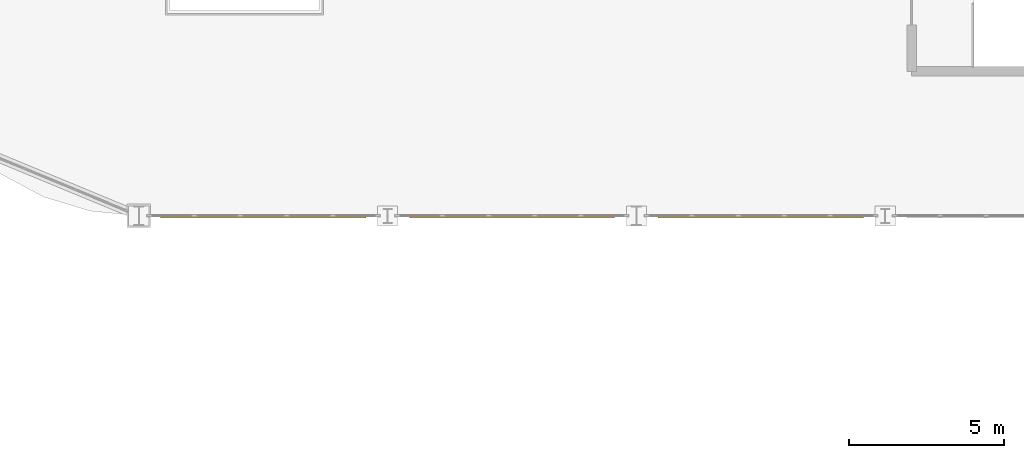
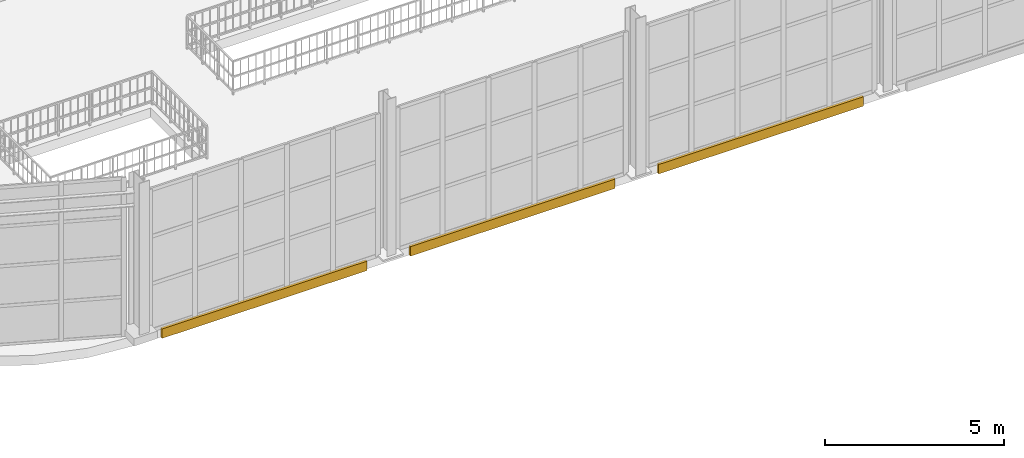
# One storey, part 75 of 82: 3 coverings.
"""IFC4 building model written with IfcOpenShell, lengths in metres."""

from ifc_helpers import new_model, si_unit, direction, frame, origin, origin_2d, place, context, subcontext, project, spatial, rectangle, extrude, material, layer, layer_set, type_object, element, save


model = new_model("IFC4")

# Units and contexts
model_context = context("Model", 3, precision=1e-05, world=origin(), true_north=direction((0.0, 1.0)))
body_context = subcontext(model_context, "Body", "Model", "MODEL_VIEW")
ifc_project = project(units=[si_unit("LENGTHUNIT", "METRE"), si_unit("AREAUNIT", "SQUARE_METRE"), si_unit("VOLUMEUNIT", "CUBIC_METRE"), si_unit("PLANEANGLEUNIT", "RADIAN"), si_unit("MASSUNIT", "GRAM", prefix="KILO")], contexts=[model_context])

# Site, building, storey
site_placement = place(None, origin())
site = spatial("IfcSite", under=ifc_project, at=site_placement, CompositionType="ELEMENT")
building_placement = place(site_placement, origin())
building = spatial("IfcBuilding", under=site, at=building_placement, Name="Serraluz Foothill Cableway Terminal", CompositionType="ELEMENT")
storey_placement = place(building_placement, frame((0.0, 0.0, 9.60009765625)))
storey = spatial("IfcBuildingStorey", under=building, at=storey_placement, Name="L02", CompositionType="ELEMENT", Elevation=9.60009765625)

# Coverings
ifc_material = material(Name="Fired clay masonry brick (f'm 12 MPa)", Category="masonry")
ifc_layer = layer(ifc_material, 0.090087890625, Name="Fired clay masonry brick (f'm 12 MPa)", Category="masonry")
ifc_layer_set = layer_set([ifc_layer], Name="Fired clay masonry brick (f'm 12 MPa)")
covering_type = type_object("IfcCoveringType", Name="TYP-COV-CLAD-90", PredefinedType="CLADDING", material=ifc_layer_set)
for number, where, z_axis, x_axis, name in (
    (1, (44.0, 55.969970703125, -0.3203125), (0.0, 0.0, 1.0), (1.0, 0.0, 0.0), "Terracotta Spandrel Relief Band COV-CLAD-V1S-1"),
    (2, (52.0, 55.969970703125, -0.3203125), (0.0, 0.0, 1.0), (1.0, 0.0, 0.0), "Terracotta Spandrel Relief Band COV-CLAD-V1S-2"),
    (3, (60.0, 55.969970703125, -0.3203125), (0.0, 0.0, 1.0), (1.0, 0.0, 0.0), "Terracotta Spandrel Relief Band COV-CLAD-V1S-3"),
):
    element("IfcCovering", number, at=place(storey_placement, frame(where, z_axis=z_axis, x_axis=x_axis)), inside=storey, type_object=covering_type, Name=name, PredefinedType="CLADDING", context=body_context, shape_type="SweptSolid", body=[
        extrude(rectangle(XDim=6.60009765625, YDim=0.090087890625, at=origin_2d()), origin(), (0.0, 0.0, 1.0), 0.320068359375),
    ])

save(model, "model.ifc")
